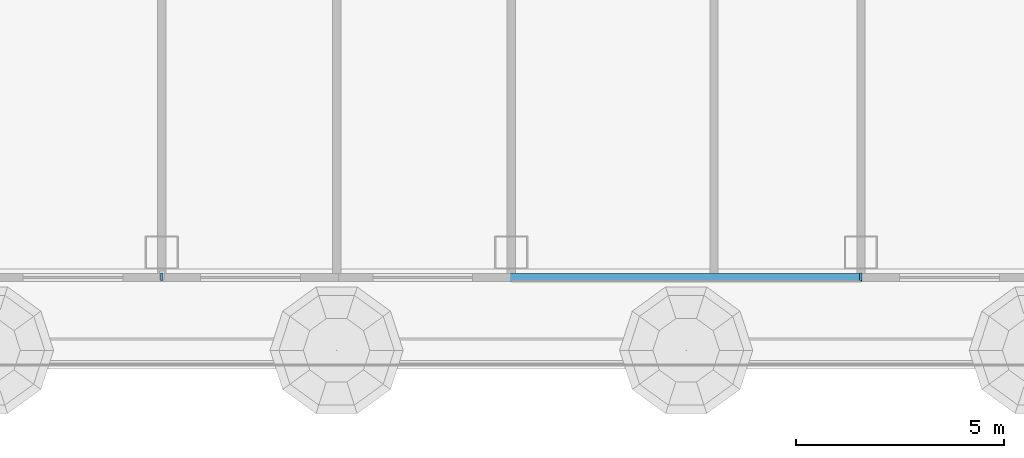
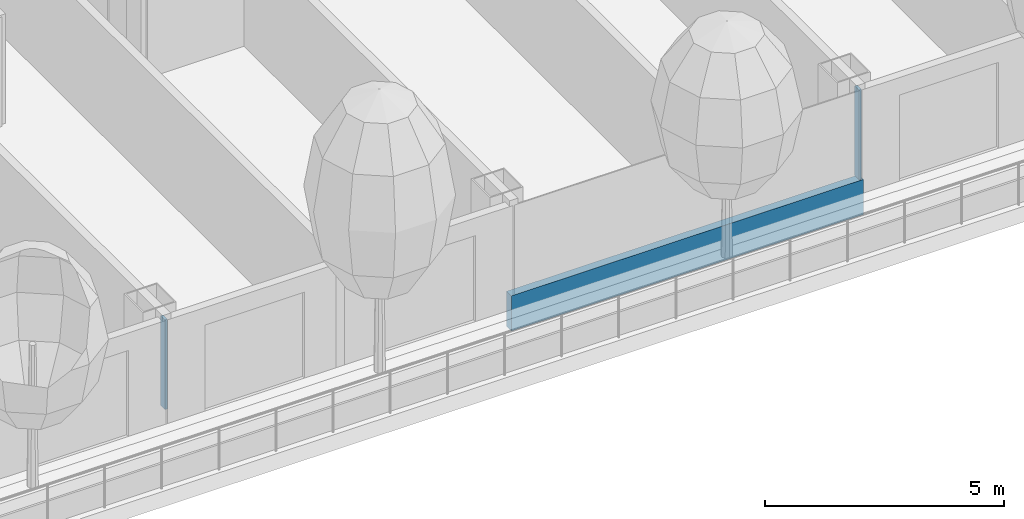
# One storey, part 4 of 34: 3 members, 1 element without a shape of its own.
"""IFC4 building model written with IfcOpenShell, lengths in metres."""

from ifc_helpers import new_model, si_unit, direction, frame, origin, origin_2d, place, context, subcontext, project, spatial, rectangle, extrude, material, layer, layer_set, material_profile, profile_set, type_object, element, aggregate, save


model = new_model("IFC4")

# Units and contexts
model_context = context("Model", 3, precision=1e-05, world=origin(), true_north=direction((0.0, 1.0)))
body_context = subcontext(model_context, "Body", "Model", "MODEL_VIEW")
ifc_project = project(units=[si_unit("LENGTHUNIT", "METRE"), si_unit("AREAUNIT", "SQUARE_METRE"), si_unit("VOLUMEUNIT", "CUBIC_METRE"), si_unit("PLANEANGLEUNIT", "RADIAN"), si_unit("MASSUNIT", "GRAM", prefix="KILO")], contexts=[model_context])

# Site, building, storey
site_placement = place(None, origin())
site = spatial("IfcSite", under=ifc_project, at=site_placement, CompositionType="ELEMENT")
building_placement = place(site_placement, origin())
building = spatial("IfcBuilding", under=site, at=building_placement, Name="Hakoniwa Tower and Hamabe Station Hall", CompositionType="ELEMENT")
storey_placement = place(building_placement, frame((0.0, 0.0, 94.60009765625)))
storey = spatial("IfcBuildingStorey", under=building, at=storey_placement, Name="L26", CompositionType="ELEMENT", Elevation=94.60009765625)

# Curtain wall, members
ifc_material_1 = material(Name="Dark low-e laminated glass", Category="glass")
ifc_layer = layer(ifc_material_1, 0.199951171875)
ifc_layer_set = layer_set([ifc_layer], Name="CW-1 UNITISED GUEST")
curtain_wall_type = type_object("IfcCurtainWallType", Name="CW-1 UNITISED GUEST", PredefinedType="NOTDEFINED", material=ifc_layer_set)
curtain_wall_placement = place(storey_placement, origin())
curtain_wall = element("IfcCurtainWall", 1, at=curtain_wall_placement, inside=storey, type_object=curtain_wall_type, Name="CW-1 curtain wall", PredefinedType="NOTDEFINED")
ifc_material_2 = material(Name="Aluminium 6063-T5 black anodised", Category="aluminium")
ifc_material_profile_1 = material_profile(ifc_material_2, rectangle(XDim=0.199951171875, YDim=0.89990234375, at=origin_2d()), Name="CW SLAB-EDGE BAND 900X200")
ifc_profile_set_1 = profile_set([ifc_material_profile_1], Name="Aluminium 6063-T5 black anodised")
member_type_1 = type_object("IfcMemberType", Name="CW SLAB-EDGE BAND 900X200", PredefinedType="USERDEFINED", material=ifc_profile_set_1)
member_1_placement = place(storey_placement, frame((-0.06005859375, -15.449951171875, -0.10009765625), z_axis=(1.0, 0.0, 0.0), x_axis=(0.0, 1.0, 0.0)))
member_1 = element("IfcMember", 2, at=member_1_placement, type_object=member_type_1, Name="CW-1 transom", ObjectType="TRANSOM", PredefinedType="USERDEFINED", context=body_context, shape_type="SweptSolid", body=[
    extrude(rectangle(XDim=0.199951171875, YDim=0.89990234375, at=origin_2d()), origin(), (0.0, 0.0, 1.0), 8.52001953125),
])
ifc_material_3 = material(Name="Aluminium 6063-T5 black anodised", Category="aluminium")
ifc_material_profile_2 = material_profile(ifc_material_3, rectangle(XDim=0.06005859375, YDim=0.179931640625, at=origin_2d()), Name="CW-1 MULLION 60X180")
ifc_profile_set_2 = profile_set([ifc_material_profile_2], Name="Aluminium 6063-T5 black anodised")
member_type_2 = type_object("IfcMemberType", Name="CW-1 MULLION 60X180", PredefinedType="MULLION", material=ifc_profile_set_2)
member_2_placement = place(storey_placement, frame((-8.39990234375, -15.431884765625, 0.349853515625), z_axis=(0.0, 0.0, 1.0), x_axis=(1.0, 0.0, 0.0)))
member_2 = element("IfcMember", 3, at=member_2_placement, type_object=member_type_2, Name="CW-1 mullion", PredefinedType="MULLION", context=body_context, shape_type="SweptSolid", body=[
    extrude(rectangle(XDim=0.06005859375, YDim=0.179931640625, at=origin_2d()), origin(), (0.0, 0.0, 1.0), 2.300048828125),
])
member_3_placement = place(storey_placement, frame((8.39990234375, -15.431884765625, 0.349853515625), z_axis=(0.0, 0.0, 1.0), x_axis=(1.0, 0.0, 0.0)))
member_3 = element("IfcMember", 4, at=member_3_placement, type_object=member_type_2, Name="CW-1 mullion", PredefinedType="MULLION", context=body_context, shape_type="SweptSolid", body=[
    extrude(rectangle(XDim=0.06005859375, YDim=0.179931640625, at=origin_2d()), origin(), (0.0, 0.0, 1.0), 2.300048828125),
])
aggregate(curtain_wall, [member_2, member_3, member_1])

save(model, "model.ifc")
